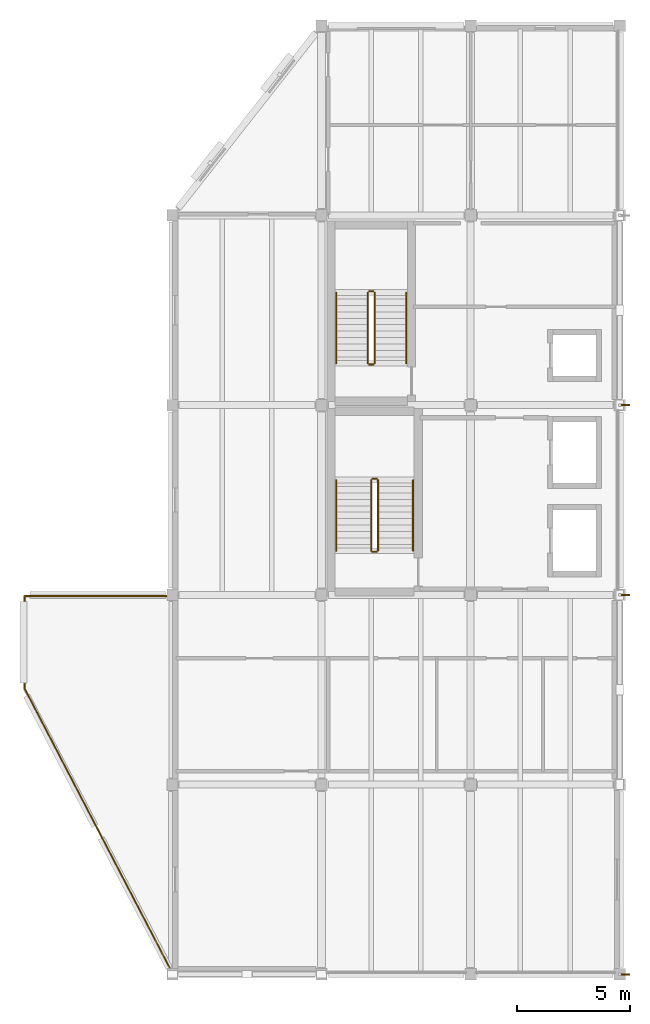
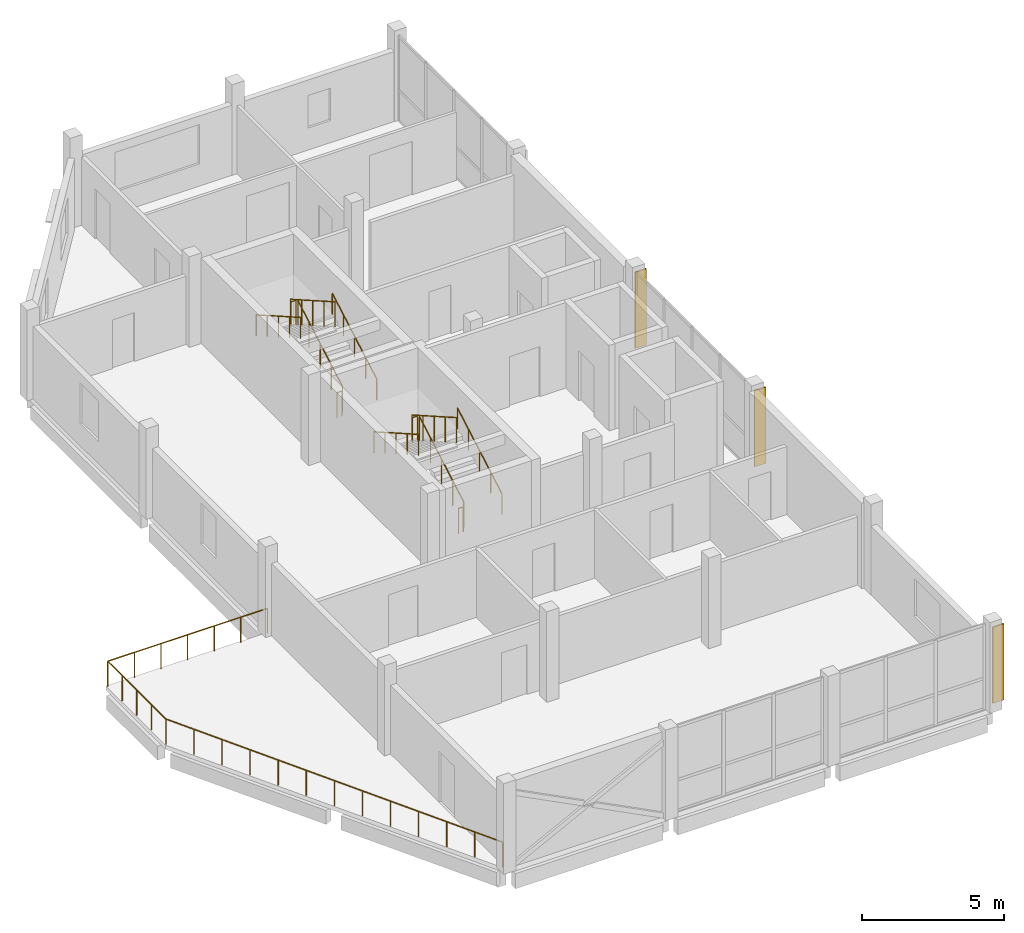
# One storey, part 8 of 9: 13 railings, 3 shading devices.
"""IFC4 building model written with IfcOpenShell, lengths in metres."""

from ifc_helpers import new_model, si_unit, direction, frame, origin, origin_2d, place, context, subcontext, project, spatial, rectangle, circle, extrude, material, layer, layer_set, type_object, element, save


model = new_model("IFC4")

# Units and contexts
model_context = context("Model", 3, precision=1e-05, world=origin(), true_north=direction((0.0, 1.0)))
body_context = subcontext(model_context, "Body", "Model", "MODEL_VIEW")
ifc_project = project(units=[si_unit("LENGTHUNIT", "METRE"), si_unit("AREAUNIT", "SQUARE_METRE"), si_unit("VOLUMEUNIT", "CUBIC_METRE"), si_unit("PLANEANGLEUNIT", "RADIAN"), si_unit("MASSUNIT", "GRAM", prefix="KILO")], contexts=[model_context])

# Site, building, storey
site_placement = place(None, origin())
site = spatial("IfcSite", under=ifc_project, at=site_placement, CompositionType="ELEMENT")
building_placement = place(site_placement, origin())
building = spatial("IfcBuilding", under=site, at=building_placement, Name="Qaldarim Faculty of Natural and Applied Sciences", CompositionType="ELEMENT")
storey_placement = place(building_placement, frame((0.0, 0.0, 43.199951171875)))
storey = spatial("IfcBuildingStorey", under=building, at=storey_placement, Name="L10", CompositionType="ELEMENT", Elevation=43.199951171875)

# Railings
ifc_material_1 = material(Name="Architectural stainless steel 316", Category="steel")
railing_type_1 = type_object("IfcRailingType", Name="ExteriorGuardBalustrade-1100", PredefinedType="BALUSTRADE", material=ifc_material_1)
railing_1_placement = place(storey_placement, frame((158.35009765625, 0.14990234375, 0.0)))
element("IfcRailing", 1, at=railing_1_placement, inside=storey, type_object=railing_type_1, Name="Safety guard balustrade GRD-TER-L10-V5S", PredefinedType="BALUSTRADE", context=body_context, shape_type="SweptSolid", body=[
    extrude(circle(Radius=0.02392578125, at=origin_2d()), frame((-0.001953125, 0.003662109375, 1.076171875), z_axis=(-0.461352736642, 0.887216801235, 0.0), x_axis=(-0.887216801235, -0.461352736642, 0.0)), (0.0, 0.0, 1.0), 14.0810546875),
    extrude(circle(Radius=0.02392578125, at=origin_2d()), frame((-6.5, 12.50390625, 1.076171875), z_axis=(0.0, 1.0, 0.0), x_axis=(-1.0, 0.0, 0.0)), (0.0, 0.0, 1.0), 4.092041015625),
    extrude(circle(Radius=0.02392578125, at=origin_2d()), frame((-6.49609375, 16.60009765625, 1.076171875), z_axis=(1.0, 0.0, 0.0), x_axis=(0.0, 1.0, 0.0)), (0.0, 0.0, 1.0), 6.491943359375),
    extrude(circle(Radius=0.02099609375, at=origin_2d()), origin(), (0.0, 0.0, 1.0), 1.052001953125),
    extrude(circle(Radius=0.02099609375, at=origin_2d()), frame((-0.541748046875, 1.041748046875, 0.0)), (0.0, 0.0, 1.0), 1.052001953125),
    extrude(circle(Radius=0.02099609375, at=origin_2d()), frame((-1.083251953125, 2.083251953125, 0.0)), (0.0, 0.0, 1.0), 1.052001953125),
    extrude(circle(Radius=0.02099609375, at=origin_2d()), frame((-1.625, 3.125, 0.0)), (0.0, 0.0, 1.0), 1.052001953125),
    extrude(circle(Radius=0.02099609375, at=origin_2d()), frame((-2.166748046875, 4.166748046875, 0.0)), (0.0, 0.0, 1.0), 1.052001953125),
    extrude(circle(Radius=0.02099609375, at=origin_2d()), frame((-2.708251953125, 5.208251953125, 0.0)), (0.0, 0.0, 1.0), 1.052001953125),
    extrude(circle(Radius=0.02099609375, at=origin_2d()), frame((-3.25, 6.25, 0.0)), (0.0, 0.0, 1.0), 1.052001953125),
    extrude(circle(Radius=0.02099609375, at=origin_2d()), frame((-3.791748046875, 7.291748046875, 0.0)), (0.0, 0.0, 1.0), 1.052001953125),
    extrude(circle(Radius=0.02099609375, at=origin_2d()), frame((-4.333251953125, 8.333251953125, 0.0)), (0.0, 0.0, 1.0), 1.052001953125),
    extrude(circle(Radius=0.02099609375, at=origin_2d()), frame((-4.875, 9.375, 0.0)), (0.0, 0.0, 1.0), 1.052001953125),
    extrude(circle(Radius=0.02099609375, at=origin_2d()), frame((-5.416748046875, 10.416748046875, 0.0)), (0.0, 0.0, 1.0), 1.052001953125),
    extrude(circle(Radius=0.02099609375, at=origin_2d()), frame((-5.958251953125, 11.458251953125, 0.0)), (0.0, 0.0, 1.0), 1.052001953125),
    extrude(circle(Radius=0.02099609375, at=origin_2d()), frame((-6.5, 12.5, 0.0)), (0.0, 0.0, 1.0), 1.052001953125),
    extrude(circle(Radius=0.02099609375, at=origin_2d()), frame((-6.5, 13.52490234375, 0.0)), (0.0, 0.0, 1.0), 1.052001953125),
    extrude(circle(Radius=0.02099609375, at=origin_2d()), frame((-6.5, 14.550048828125, 0.0)), (0.0, 0.0, 1.0), 1.052001953125),
    extrude(circle(Radius=0.02099609375, at=origin_2d()), frame((-6.5, 15.5751953125, 0.0)), (0.0, 0.0, 1.0), 1.052001953125),
    extrude(circle(Radius=0.02099609375, at=origin_2d()), frame((-6.5, 16.60009765625, 0.0)), (0.0, 0.0, 1.0), 1.052001953125),
    extrude(circle(Radius=0.02099609375, at=origin_2d()), frame((-5.416748046875, 16.60009765625, 0.0)), (0.0, 0.0, 1.0), 1.052001953125),
    extrude(circle(Radius=0.02099609375, at=origin_2d()), frame((-4.333251953125, 16.60009765625, 0.0)), (0.0, 0.0, 1.0), 1.052001953125),
    extrude(circle(Radius=0.02099609375, at=origin_2d()), frame((-3.25, 16.60009765625, 0.0)), (0.0, 0.0, 1.0), 1.052001953125),
    extrude(circle(Radius=0.02099609375, at=origin_2d()), frame((-2.166748046875, 16.60009765625, 0.0)), (0.0, 0.0, 1.0), 1.052001953125),
    extrude(circle(Radius=0.02099609375, at=origin_2d()), frame((-1.083251953125, 16.60009765625, 0.0)), (0.0, 0.0, 1.0), 1.052001953125),
    extrude(circle(Radius=0.02099609375, at=origin_2d()), frame((0.0, 16.60009765625, 0.0)), (0.0, 0.0, 1.0), 1.052001953125),
])
railing_type_2 = type_object("IfcRailingType", Name="GuardBalustrade-1100", PredefinedType="BALUSTRADE", material=ifc_material_1)
railing_2_placement = place(storey_placement, frame((167.5, 18.75, 0.16015625)))
element("IfcRailing", 2, at=railing_2_placement, inside=storey, type_object=railing_type_2, Name="ST-A1 L10 stair well guard 1", PredefinedType="BALUSTRADE", context=body_context, shape_type="SweptSolid", body=[
    extrude(circle(Radius=0.02392578125, at=origin_2d()), frame((0.0, 0.0, 1.076171875), z_axis=(0.0, 0.868438681831, 0.495796587221), x_axis=(-1.0, 0.0, 0.0)), (0.0, 0.0, 1.0), 3.60986328125),
    extrude(circle(Radius=0.02099609375, at=origin_2d()), origin(), (0.0, 0.0, 1.0), 1.052001953125),
    extrude(circle(Radius=0.02099609375, at=origin_2d()), frame((0.0, 0.78369140625, 0.447509765625)), (0.0, 0.0, 1.0), 1.052001953125),
    extrude(circle(Radius=0.02099609375, at=origin_2d()), frame((0.0, 1.5673828125, 0.89501953125)), (0.0, 0.0, 1.0), 1.052001953125),
    extrude(circle(Radius=0.02099609375, at=origin_2d()), frame((0.0, 2.351318359375, 1.34228515625)), (0.0, 0.0, 1.0), 1.052001953125),
    extrude(circle(Radius=0.02099609375, at=origin_2d()), frame((0.0, 3.135009765625, 1.789794921875)), (0.0, 0.0, 1.0), 1.052001953125),
])
railing_3_placement = place(storey_placement, frame((167.449951171875, 21.93505859375, 1.949951171875)))
element("IfcRailing", 3, at=railing_3_placement, inside=storey, type_object=railing_type_2, Name="ST-A1 L10 stair well guard 2", PredefinedType="BALUSTRADE", context=body_context, shape_type="SweptSolid", body=[
    extrude(circle(Radius=0.02392578125, at=origin_2d()), frame((0.0, 0.0, 1.076171875), z_axis=(-1.0, 0.0, 0.0), x_axis=(0.0, -1.0, 0.0)), (0.0, 0.0, 1.0), 0.199951171875),
    extrude(circle(Radius=0.02099609375, at=origin_2d()), origin(), (0.0, 0.0, 1.0), 1.052001953125),
    extrude(circle(Radius=0.02099609375, at=origin_2d()), frame((-0.199951171875, 0.0, 0.0)), (0.0, 0.0, 1.0), 1.052001953125),
])
railing_4_placement = place(storey_placement, frame((167.199951171875, 21.885009765625, 2.110107421875)))
element("IfcRailing", 4, at=railing_4_placement, inside=storey, type_object=railing_type_2, Name="ST-A1 L10 stair well guard 3", PredefinedType="BALUSTRADE", context=body_context, shape_type="SweptSolid", body=[
    extrude(circle(Radius=0.02392578125, at=origin_2d()), frame((0.0, 0.0, 1.076171875), z_axis=(0.0, -0.86840956187, 0.495847590346), x_axis=(1.0, 0.0, 0.0)), (0.0, 0.0, 1.0), 3.610107421875),
    extrude(circle(Radius=0.02099609375, at=origin_2d()), origin(), (0.0, 0.0, 1.0), 1.052001953125),
    extrude(circle(Radius=0.02099609375, at=origin_2d()), frame((0.0, -0.78369140625, 0.447509765625)), (0.0, 0.0, 1.0), 1.052001953125),
    extrude(circle(Radius=0.02099609375, at=origin_2d()), frame((0.0, -1.5673828125, 0.89501953125)), (0.0, 0.0, 1.0), 1.052001953125),
    extrude(circle(Radius=0.02099609375, at=origin_2d()), frame((0.0, -2.351318359375, 1.342529296875)), (0.0, 0.0, 1.0), 1.052001953125),
    extrude(circle(Radius=0.02099609375, at=origin_2d()), frame((0.0, -3.135009765625, 1.7900390625)), (0.0, 0.0, 1.0), 1.052001953125),
])
railing_5_placement = place(storey_placement, frame((167.449951171875, 18.699951171875, 0.0)))
element("IfcRailing", 5, at=railing_5_placement, inside=storey, type_object=railing_type_2, Name="ST-A1 L10 stair well guard 4", PredefinedType="BALUSTRADE", context=body_context, shape_type="SweptSolid", body=[
    extrude(circle(Radius=0.02392578125, at=origin_2d()), frame((0.0, 0.0, 1.076171875), z_axis=(-1.0, 0.0, 0.0), x_axis=(0.0, -1.0, 0.0)), (0.0, 0.0, 1.0), 0.199951171875),
    extrude(circle(Radius=0.02099609375, at=origin_2d()), origin(), (0.0, 0.0, 1.0), 1.052001953125),
    extrude(circle(Radius=0.02099609375, at=origin_2d()), frame((-0.199951171875, 0.0, 0.0)), (0.0, 0.0, 1.0), 1.052001953125),
])
railing_6_placement = place(storey_placement, frame((167.35009765625, 27.050048828125, 0.16015625)))
element("IfcRailing", 6, at=railing_6_placement, inside=storey, type_object=railing_type_2, Name="ST-A2 L10 stair well guard 1", PredefinedType="BALUSTRADE", context=body_context, shape_type="SweptSolid", body=[
    extrude(circle(Radius=0.02392578125, at=origin_2d()), frame((0.0, 0.0, 1.076171875), z_axis=(0.0, 0.868438681831, 0.495796587221), x_axis=(-1.0, 0.0, 0.0)), (0.0, 0.0, 1.0), 3.60986328125),
    extrude(circle(Radius=0.02099609375, at=origin_2d()), origin(), (0.0, 0.0, 1.0), 1.052001953125),
    extrude(circle(Radius=0.02099609375, at=origin_2d()), frame((0.0, 0.78369140625, 0.447509765625)), (0.0, 0.0, 1.0), 1.052001953125),
    extrude(circle(Radius=0.02099609375, at=origin_2d()), frame((0.0, 1.5673828125, 0.89501953125)), (0.0, 0.0, 1.0), 1.052001953125),
    extrude(circle(Radius=0.02099609375, at=origin_2d()), frame((0.0, 2.351318359375, 1.34228515625)), (0.0, 0.0, 1.0), 1.052001953125),
    extrude(circle(Radius=0.02099609375, at=origin_2d()), frame((0.0, 3.135009765625, 1.789794921875)), (0.0, 0.0, 1.0), 1.052001953125),
])
railing_7_placement = place(storey_placement, frame((167.300048828125, 30.235107421875, 1.949951171875)))
element("IfcRailing", 7, at=railing_7_placement, inside=storey, type_object=railing_type_2, Name="ST-A2 L10 stair well guard 2", PredefinedType="BALUSTRADE", context=body_context, shape_type="SweptSolid", body=[
    extrude(circle(Radius=0.02392578125, at=origin_2d()), frame((0.0, 0.0, 1.076171875), z_axis=(-1.0, 0.0, 0.0), x_axis=(0.0, -1.0, 0.0)), (0.0, 0.0, 1.0), 0.199951171875),
    extrude(circle(Radius=0.02099609375, at=origin_2d()), origin(), (0.0, 0.0, 1.0), 1.052001953125),
    extrude(circle(Radius=0.02099609375, at=origin_2d()), frame((-0.199951171875, 0.0, 0.0)), (0.0, 0.0, 1.0), 1.052001953125),
])
railing_8_placement = place(storey_placement, frame((167.050048828125, 30.18505859375, 2.110107421875)))
element("IfcRailing", 8, at=railing_8_placement, inside=storey, type_object=railing_type_2, Name="ST-A2 L10 stair well guard 3", PredefinedType="BALUSTRADE", context=body_context, shape_type="SweptSolid", body=[
    extrude(circle(Radius=0.02392578125, at=origin_2d()), frame((0.0, 0.0, 1.076171875), z_axis=(0.0, -0.86840956187, 0.495847590346), x_axis=(1.0, 0.0, 0.0)), (0.0, 0.0, 1.0), 3.610107421875),
    extrude(circle(Radius=0.02099609375, at=origin_2d()), origin(), (0.0, 0.0, 1.0), 1.052001953125),
    extrude(circle(Radius=0.02099609375, at=origin_2d()), frame((0.0, -0.78369140625, 0.447509765625)), (0.0, 0.0, 1.0), 1.052001953125),
    extrude(circle(Radius=0.02099609375, at=origin_2d()), frame((0.0, -1.5673828125, 0.89501953125)), (0.0, 0.0, 1.0), 1.052001953125),
    extrude(circle(Radius=0.02099609375, at=origin_2d()), frame((0.0, -2.351318359375, 1.342529296875)), (0.0, 0.0, 1.0), 1.052001953125),
    extrude(circle(Radius=0.02099609375, at=origin_2d()), frame((0.0, -3.135009765625, 1.7900390625)), (0.0, 0.0, 1.0), 1.052001953125),
])
railing_9_placement = place(storey_placement, frame((167.300048828125, 27.0, 0.0)))
element("IfcRailing", 9, at=railing_9_placement, inside=storey, type_object=railing_type_2, Name="ST-A2 L10 stair well guard 4", PredefinedType="BALUSTRADE", context=body_context, shape_type="SweptSolid", body=[
    extrude(circle(Radius=0.02392578125, at=origin_2d()), frame((0.0, 0.0, 1.076171875), z_axis=(-1.0, 0.0, 0.0), x_axis=(0.0, -1.0, 0.0)), (0.0, 0.0, 1.0), 0.199951171875),
    extrude(circle(Radius=0.02099609375, at=origin_2d()), origin(), (0.0, 0.0, 1.0), 1.052001953125),
    extrude(circle(Radius=0.02099609375, at=origin_2d()), frame((-0.199951171875, 0.0, 0.0)), (0.0, 0.0, 1.0), 1.052001953125),
])
railing_type_3 = type_object("IfcRailingType", Name="StairHandrail-920", PredefinedType="HANDRAIL", material=ifc_material_1)
railing_10_placement = place(storey_placement, frame((169.050048828125, 18.75, 0.16015625)))
element("IfcRailing", 10, at=railing_10_placement, inside=storey, type_object=railing_type_3, Name="ST-A1 L10 stair handrail 1", PredefinedType="HANDRAIL", context=body_context, shape_type="SweptSolid", body=[
    extrude(circle(Radius=0.02392578125, at=origin_2d()), frame((0.0, 0.0, 0.89599609375), z_axis=(0.0, 0.868438681831, 0.495796587221), x_axis=(-1.0, 0.0, 0.0)), (0.0, 0.0, 1.0), 3.60986328125),
    extrude(circle(Radius=0.02099609375, at=origin_2d()), origin(), (0.0, 0.0, 1.0), 0.871826171875),
    extrude(circle(Radius=0.02099609375, at=origin_2d()), frame((0.0, 0.78369140625, 0.447509765625)), (0.0, 0.0, 1.0), 0.871826171875),
    extrude(circle(Radius=0.02099609375, at=origin_2d()), frame((0.0, 1.5673828125, 0.89501953125)), (0.0, 0.0, 1.0), 0.871826171875),
    extrude(circle(Radius=0.02099609375, at=origin_2d()), frame((0.0, 2.351318359375, 1.34228515625)), (0.0, 0.0, 1.0), 0.871826171875),
    extrude(circle(Radius=0.02099609375, at=origin_2d()), frame((0.0, 3.135009765625, 1.789794921875)), (0.0, 0.0, 1.0), 0.871826171875),
])
railing_11_placement = place(storey_placement, frame((165.64990234375, 21.885009765625, 2.110107421875)))
element("IfcRailing", 11, at=railing_11_placement, inside=storey, type_object=railing_type_3, Name="ST-A1 L10 stair handrail 2", PredefinedType="HANDRAIL", context=body_context, shape_type="SweptSolid", body=[
    extrude(circle(Radius=0.02392578125, at=origin_2d()), frame((0.0, 0.0, 0.89599609375), z_axis=(0.0, -0.86840956187, 0.495847590346), x_axis=(1.0, 0.0, 0.0)), (0.0, 0.0, 1.0), 3.610107421875),
    extrude(circle(Radius=0.02099609375, at=origin_2d()), origin(), (0.0, 0.0, 1.0), 0.871826171875),
    extrude(circle(Radius=0.02099609375, at=origin_2d()), frame((0.0, -0.78369140625, 0.447509765625)), (0.0, 0.0, 1.0), 0.871826171875),
    extrude(circle(Radius=0.02099609375, at=origin_2d()), frame((0.0, -1.5673828125, 0.89501953125)), (0.0, 0.0, 1.0), 0.871826171875),
    extrude(circle(Radius=0.02099609375, at=origin_2d()), frame((0.0, -2.351318359375, 1.342529296875)), (0.0, 0.0, 1.0), 0.871826171875),
    extrude(circle(Radius=0.02099609375, at=origin_2d()), frame((0.0, -3.135009765625, 1.7900390625)), (0.0, 0.0, 1.0), 0.871826171875),
])
railing_12_placement = place(storey_placement, frame((168.75, 27.050048828125, 0.16015625)))
element("IfcRailing", 12, at=railing_12_placement, inside=storey, type_object=railing_type_3, Name="ST-A2 L10 stair handrail 1", PredefinedType="HANDRAIL", context=body_context, shape_type="SweptSolid", body=[
    extrude(circle(Radius=0.02392578125, at=origin_2d()), frame((0.0, 0.0, 0.89599609375), z_axis=(0.0, 0.868438681831, 0.495796587221), x_axis=(-1.0, 0.0, 0.0)), (0.0, 0.0, 1.0), 3.60986328125),
    extrude(circle(Radius=0.02099609375, at=origin_2d()), origin(), (0.0, 0.0, 1.0), 0.871826171875),
    extrude(circle(Radius=0.02099609375, at=origin_2d()), frame((0.0, 0.78369140625, 0.447509765625)), (0.0, 0.0, 1.0), 0.871826171875),
    extrude(circle(Radius=0.02099609375, at=origin_2d()), frame((0.0, 1.5673828125, 0.89501953125)), (0.0, 0.0, 1.0), 0.871826171875),
    extrude(circle(Radius=0.02099609375, at=origin_2d()), frame((0.0, 2.351318359375, 1.34228515625)), (0.0, 0.0, 1.0), 0.871826171875),
    extrude(circle(Radius=0.02099609375, at=origin_2d()), frame((0.0, 3.135009765625, 1.789794921875)), (0.0, 0.0, 1.0), 0.871826171875),
])
railing_13_placement = place(storey_placement, frame((165.64990234375, 30.18505859375, 2.110107421875)))
element("IfcRailing", 13, at=railing_13_placement, inside=storey, type_object=railing_type_3, Name="ST-A2 L10 stair handrail 2", PredefinedType="HANDRAIL", context=body_context, shape_type="SweptSolid", body=[
    extrude(circle(Radius=0.02392578125, at=origin_2d()), frame((0.0, 0.0, 0.89599609375), z_axis=(0.0, -0.86840956187, 0.495847590346), x_axis=(1.0, 0.0, 0.0)), (0.0, 0.0, 1.0), 3.610107421875),
    extrude(circle(Radius=0.02099609375, at=origin_2d()), origin(), (0.0, 0.0, 1.0), 0.871826171875),
    extrude(circle(Radius=0.02099609375, at=origin_2d()), frame((0.0, -0.78369140625, 0.447509765625)), (0.0, 0.0, 1.0), 0.871826171875),
    extrude(circle(Radius=0.02099609375, at=origin_2d()), frame((0.0, -1.5673828125, 0.89501953125)), (0.0, 0.0, 1.0), 0.871826171875),
    extrude(circle(Radius=0.02099609375, at=origin_2d()), frame((0.0, -2.351318359375, 1.342529296875)), (0.0, 0.0, 1.0), 0.871826171875),
    extrude(circle(Radius=0.02099609375, at=origin_2d()), frame((0.0, -3.135009765625, 1.7900390625)), (0.0, 0.0, 1.0), 0.871826171875),
])

# Shading devices
ifc_material_2 = material(Name="Champagne anodised aluminium AW-6063", Category="aluminium")
ifc_layer = layer(ifc_material_2, 0.06005859375)
ifc_layer_set = layer_set([ifc_layer], Name="Champagne anodised aluminium AW-6063")
shading_device_type = type_object("IfcShadingDeviceType", Name="VerticalSunFin-ALU450x60", PredefinedType="SHUTTER", material=ifc_layer_set)
for number, where, z_axis, x_axis, name in (
    (14, (178.425048828125, 0.0, 0.2001953125), (0.0, 0.0, 1.0), (1.0, 0.0, 0.0), "Tower solar fin FIN-V5E-L10-Y01"),
    (15, (178.425048828125, 16.800048828125, 0.2001953125), (0.0, 0.0, 1.0), (1.0, 0.0, 0.0), "Tower solar fin FIN-V5E-L10-Y03"),
    (16, (178.425048828125, 25.199951171875, 0.2001953125), (0.0, 0.0, 1.0), (1.0, 0.0, 0.0), "Tower solar fin FIN-V5E-L10-Y04"),
):
    element("IfcShadingDevice", number, at=place(storey_placement, frame(where, z_axis=z_axis, x_axis=x_axis)), inside=storey, type_object=shading_device_type, Name=name, PredefinedType="SHUTTER", context=body_context, shape_type="SweptSolid", body=[
        extrude(rectangle(XDim=0.449951171875, YDim=0.06005859375, at=origin_2d()), origin(), (0.0, 0.0, 1.0), 3.280029296875),
    ])

save(model, "model.ifc")
